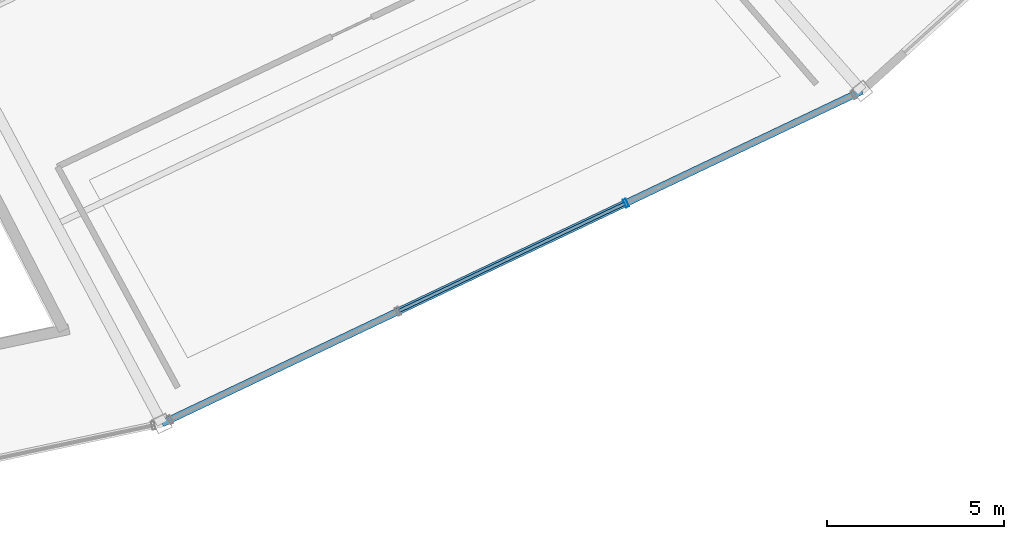
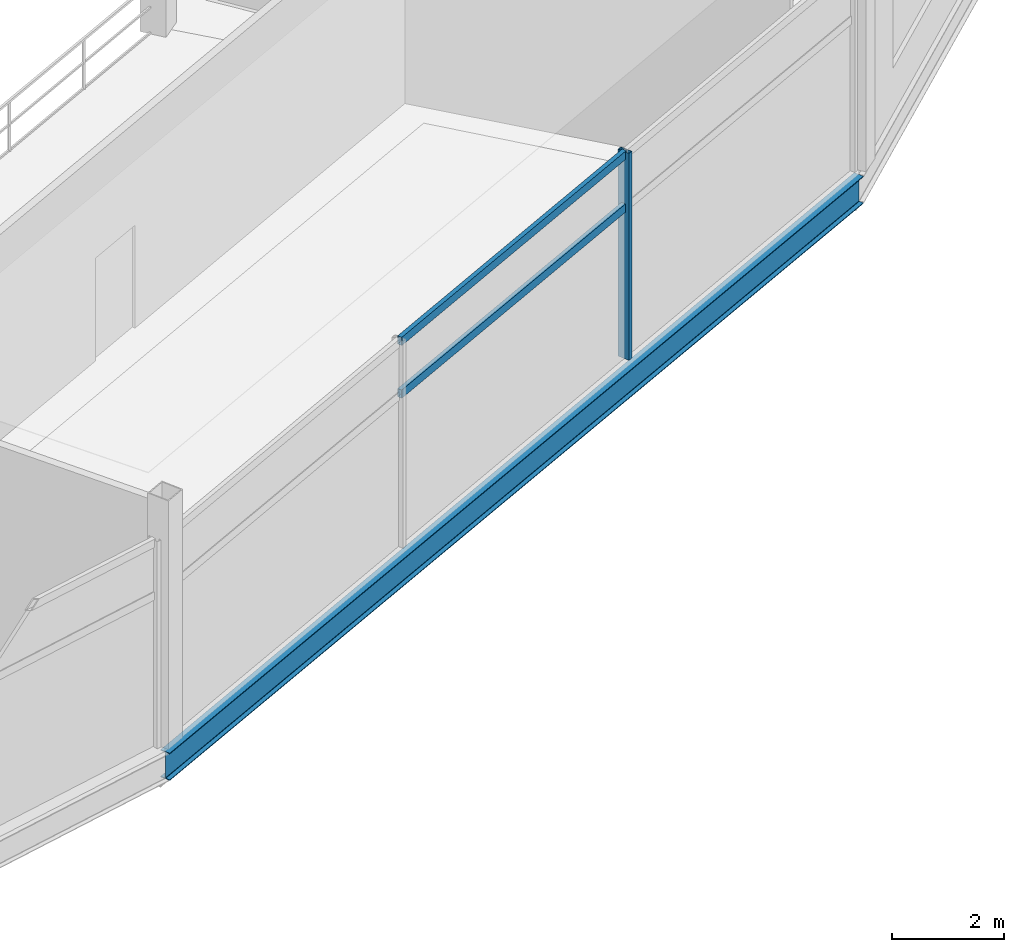
# One storey, part 44 of 103: 3 members, 1 beam, 1 element without a shape of its own.
"""IFC4 building model written with IfcOpenShell, lengths in metres."""

from ifc_helpers import new_model, si_unit, direction, frame, origin, origin_2d, place, context, subcontext, project, spatial, hollow_rectangle, i_section, extrude, material, layer, layer_set, material_profile, profile_set, type_object, element, aggregate, save


model = new_model("IFC4")

# Units and contexts
model_context = context("Model", 3, precision=1e-05, world=origin(), true_north=direction((0.0, 1.0)))
body_context = subcontext(model_context, "Body", "Model", "MODEL_VIEW")
ifc_project = project(units=[si_unit("LENGTHUNIT", "METRE"), si_unit("AREAUNIT", "SQUARE_METRE"), si_unit("VOLUMEUNIT", "CUBIC_METRE"), si_unit("PLANEANGLEUNIT", "RADIAN"), si_unit("MASSUNIT", "GRAM", prefix="KILO")], contexts=[model_context])

# Site, building, storey
site_placement = place(None, origin())
site = spatial("IfcSite", under=ifc_project, at=site_placement, CompositionType="ELEMENT")
building_placement = place(site_placement, origin())
building = spatial("IfcBuilding", under=site, at=building_placement, Name="Kazemori Nagisa Stadium", CompositionType="ELEMENT")
storey_placement = place(building_placement, frame((0.0, 0.0, 25.840087890625)))
storey = spatial("IfcBuildingStorey", under=building, at=storey_placement, Name="L05", CompositionType="ELEMENT", Elevation=25.840087890625)

# Beam
ifc_material_1 = material(Name="Steel SN490B", Category="steel")
ifc_material_profile_1 = material_profile(ifc_material_1, i_section(OverallWidth=0.199951171875, OverallDepth=0.60009765625, WebThickness=0.010986328125, FlangeThickness=0.01708984375, FilletRadius=0.012939453125, at=origin_2d()), Name="H-600x200x11x17")
ifc_profile_set_1 = profile_set([ifc_material_profile_1], Name="Steel SN490B")
beam_type = type_object("IfcBeamType", Name="Beam_BS-H600", PredefinedType="SPANDREL", material=ifc_profile_set_1)
beam_placement = place(storey_placement, frame((165.8046875, 21.53564453125, -0.56005859375), z_axis=(0.903215644095, 0.429187022475, 0.0), x_axis=(-0.429187022475, 0.903215644095, 0.0)))
element("IfcBeam", 1, at=beam_placement, inside=storey, type_object=beam_type, Name="Ring girder BS-H600 L05 R3-24", PredefinedType="SPANDREL", context=body_context, shape_type="SweptSolid", body=[
    extrude(i_section(OverallWidth=0.199951171875, OverallDepth=0.60009765625, WebThickness=0.010986328125, FlangeThickness=0.01708984375, FilletRadius=0.012939453125, at=origin_2d()), origin(), (0.0, 0.0, 1.0), 21.9140625),
])

# Curtain wall, members
ifc_material_2 = material(Name="Anodised aluminium 6063-T5", Category="aluminium")
ifc_layer = layer(ifc_material_2, 0.239990234375, Name="Anodised aluminium 6063-T5", Category="aluminium")
ifc_layer_set = layer_set([ifc_layer], Name="Anodised aluminium 6063-T5")
curtain_wall_type = type_object("IfcCurtainWallType", Name="CW_L05R3_107", PredefinedType="USERDEFINED", material=ifc_layer_set)
curtain_wall_placement = place(storey_placement, origin())
curtain_wall = element("IfcCurtainWall", 2, at=curtain_wall_placement, inside=storey, type_object=curtain_wall_type, Name="Unitised curtain wall CW-L05R3-107 L05", ObjectType="UNITISED CURTAIN WALL", PredefinedType="USERDEFINED")
ifc_material_3 = material(Name="Aluminium 6063-T5 anodised", Category="aluminium")
ifc_material_profile_2 = material_profile(ifc_material_3, hollow_rectangle(XDim=0.090087890625, YDim=0.239990234375, WallThickness=0.0048828125, at=origin_2d()), Name="ALU-MULL-90x240x5")
ifc_profile_set_2 = profile_set([ifc_material_profile_2], Name="Aluminium 6063-T5 anodised")
member_type_1 = type_object("IfcMemberType", Name="Mullion_M03", PredefinedType="MULLION", material=ifc_profile_set_2)
member_1_placement = place(storey_placement, frame((178.92333984375, 27.76953125, 0.0), z_axis=(0.0, 0.0, 1.0), x_axis=(0.903215892654, 0.429186499388, 0.0)))
member_1 = element("IfcMember", 3, at=member_1_placement, type_object=member_type_1, Name="Curtain wall mullion CW-L05R3-107-M3", PredefinedType="MULLION", context=body_context, shape_type="SweptSolid", body=[
    extrude(hollow_rectangle(XDim=0.090087890625, YDim=0.239990234375, WallThickness=0.0048828125, at=origin_2d()), origin(), (0.0, 0.0, 1.0), 4.530029296875),
])
ifc_material_profile_3 = material_profile(ifc_material_3, hollow_rectangle(XDim=0.090087890625, YDim=0.179931640625, WallThickness=0.0048828125, at=origin_2d()), Name="ALU-TRAN-90x180x5")
ifc_profile_set_3 = profile_set([ifc_material_profile_3], Name="Aluminium 6063-T5 anodised")
member_type_2 = type_object("IfcMemberType", Name="Transom_T03", PredefinedType="USERDEFINED", material=ifc_profile_set_3)
member_2_placement = place(storey_placement, frame((172.497314453125, 24.7158203125, 3.306884765625), z_axis=(0.903201805793, 0.429216143699, 0.0), x_axis=(-0.429216143699, 0.903201805793, 0.0)))
member_2 = element("IfcMember", 4, at=member_2_placement, type_object=member_type_2, Name="Curtain wall transom CW-L05R3-107-T2-mid", ObjectType="TRANSOM", PredefinedType="USERDEFINED", context=body_context, shape_type="SweptSolid", body=[
    extrude(hollow_rectangle(XDim=0.090087890625, YDim=0.179931640625, WallThickness=0.0048828125, at=origin_2d()), origin(), (0.0, 0.0, 1.0), 7.0947265625),
])
member_3_placement = place(storey_placement, frame((172.497314453125, 24.7158203125, 4.4599609375), z_axis=(0.903201805793, 0.429216143699, 0.0), x_axis=(-0.429216143699, 0.903201805793, 0.0)))
member_3 = element("IfcMember", 5, at=member_3_placement, type_object=member_type_2, Name="Curtain wall transom CW-L05R3-107-T2-head", ObjectType="TRANSOM", PredefinedType="USERDEFINED", context=body_context, shape_type="SweptSolid", body=[
    extrude(hollow_rectangle(XDim=0.090087890625, YDim=0.179931640625, WallThickness=0.0048828125, at=origin_2d()), origin(), (0.0, 0.0, 1.0), 7.0947265625),
])
aggregate(curtain_wall, [member_1, member_2, member_3])

save(model, "model.ifc")
